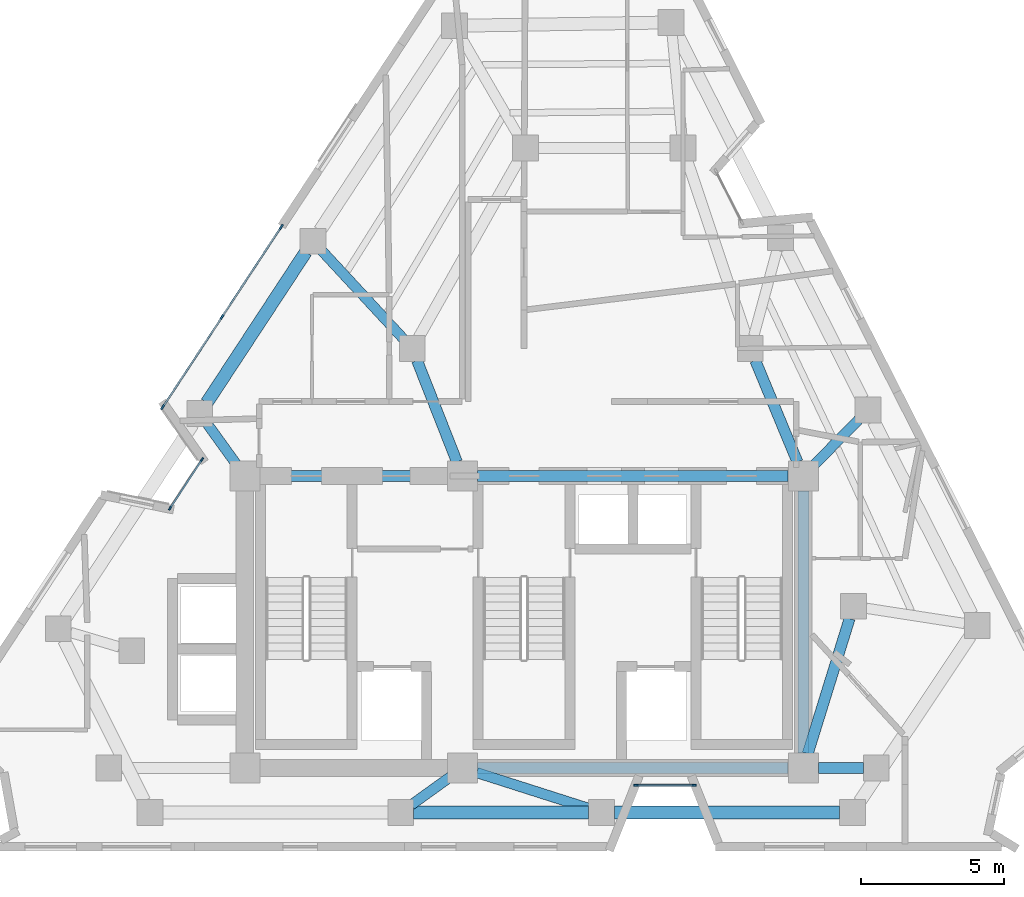
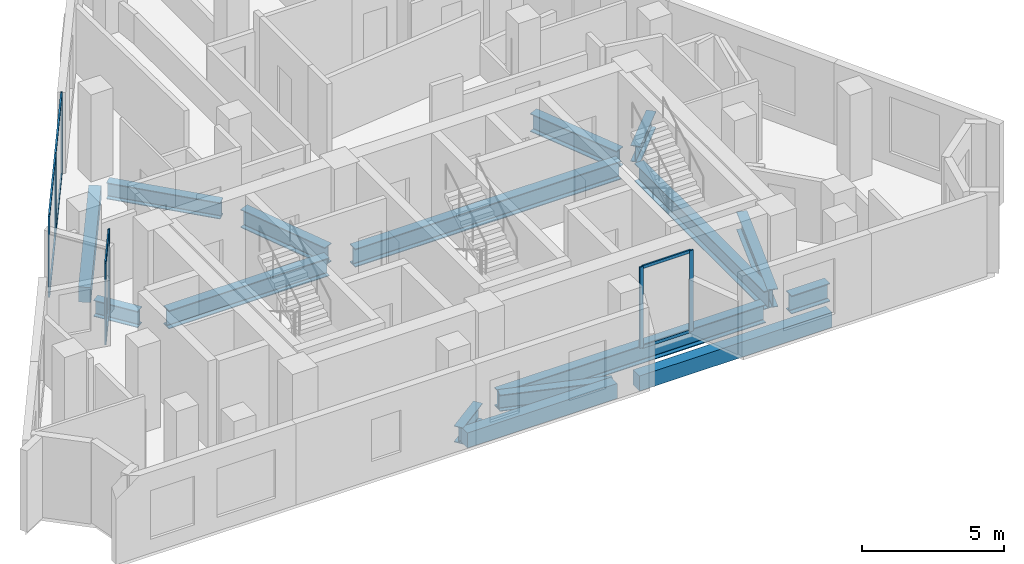
# One storey, part 2 of 9: 16 beams, 15 members, 3 elements without a shape of their own.
"""IFC4 building model written with IfcOpenShell, lengths in metres."""

from ifc_helpers import new_model, si_unit, direction, frame, origin, origin_2d, place, context, subcontext, project, spatial, rectangle, i_section, extrude, material, layer, layer_set, material_profile, profile_set, type_object, element, aggregate, save


model = new_model("IFC4")

# Units and contexts
model_context = context("Model", 3, precision=1e-05, world=origin(), true_north=direction((0.0, 1.0)))
body_context = subcontext(model_context, "Body", "Model", "MODEL_VIEW")
ifc_project = project(units=[si_unit("LENGTHUNIT", "METRE"), si_unit("AREAUNIT", "SQUARE_METRE"), si_unit("VOLUMEUNIT", "CUBIC_METRE"), si_unit("PLANEANGLEUNIT", "RADIAN"), si_unit("MASSUNIT", "GRAM", prefix="KILO")], contexts=[model_context])

# Site, building, storey
site_placement = place(None, origin())
site = spatial("IfcSite", under=ifc_project, at=site_placement, CompositionType="ELEMENT")
building_placement = place(site_placement, origin())
building = spatial("IfcBuilding", under=site, at=building_placement, Name="Almagre Mirador Tower", CompositionType="ELEMENT")
storey_placement = place(building_placement, frame((0.0, 0.0, 248.25)))
storey = spatial("IfcBuildingStorey", under=building, at=storey_placement, Name="L64", CompositionType="ELEMENT", Elevation=248.25)

# Beams
ifc_material_1 = material(Name="Precast concrete C50/60", Category="concrete")
ifc_material_profile_1 = material_profile(ifc_material_1, rectangle(XDim=0.449951171875, YDim=0.64990234375, at=origin_2d()), Name="RC450X650")
ifc_profile_set_1 = profile_set([ifc_material_profile_1], Name="Precast concrete C50/60")
beam_type_1 = type_object("IfcBeamType", Name="BM-SPN-RC450X650", PredefinedType="SPANDREL", material=ifc_profile_set_1)
beam_1_placement = place(storey_placement, frame((33.446044921875, 3.0, -0.574951171875), z_axis=(1.0, 0.0, 0.0), x_axis=(0.0, 1.0, 0.0)))
element("IfcBeam", 1, at=beam_1_placement, inside=storey, type_object=beam_type_1, Name="L64 perimeter spandrel beam PC02-PC03", PredefinedType="SPANDREL", context=body_context, shape_type="SweptSolid", body=[
    extrude(rectangle(XDim=0.449951171875, YDim=0.64990234375, at=origin_2d()), origin(), (0.0, 0.0, 1.0), 6.10791015625),
])
beam_2_placement = place(storey_placement, frame((40.4541015625, 3.0, -0.574951171875), z_axis=(1.0, 0.0, 0.0), x_axis=(0.0, 1.0, 0.0)))
element("IfcBeam", 2, at=beam_2_placement, inside=storey, type_object=beam_type_1, Name="L64 perimeter spandrel beam PC03-PC04", PredefinedType="SPANDREL", context=body_context, shape_type="SweptSolid", body=[
    extrude(rectangle(XDim=0.449951171875, YDim=0.64990234375, at=origin_2d()), origin(), (0.0, 0.0, 1.0), 7.85986328125),
])
beam_3_placement = place(storey_placement, frame((29.681884765625, 22.572998046875, -0.574951171875), z_axis=(-0.549024719226, -0.835806112492, 0.0), x_axis=(0.835806112492, -0.549024719226, 0.0)))
element("IfcBeam", 3, at=beam_3_placement, inside=storey, type_object=beam_type_1, Name="L64 perimeter spandrel beam PC10-PC11", PredefinedType="SPANDREL", context=body_context, shape_type="SweptSolid", body=[
    extrude(rectangle(XDim=0.449951171875, YDim=0.64990234375, at=origin_2d()), origin(), (0.0, 0.0, 1.0), 6.298095703125),
])
ifc_material_2 = material(Name="Steel ASTM A992 Grade 50", Category="steel")
ifc_material_profile_2 = material_profile(ifc_material_2, i_section(OverallWidth=0.35791015625, OverallDepth=0.7060546875, WebThickness=0.018310546875, FlangeThickness=0.0302734375, FilletRadius=0.02197265625, at=origin_2d()), Name="W27X178")
ifc_profile_set_2 = profile_set([ifc_material_profile_2], Name="Steel ASTM A992 Grade 50")
beam_type_2 = type_object("IfcBeamType", Name="BM-STL-W27X178", PredefinedType="BEAM", material=ifc_profile_set_2)
beam_4_placement = place(storey_placement, frame((33.361328125, 3.2626953125, -0.60302734375), z_axis=(0.81162535726, 0.584178294233, 0.0), x_axis=(-0.584178294233, 0.81162535726, 0.0)))
element("IfcBeam", 4, at=beam_4_placement, inside=storey, type_object=beam_type_2, Name="L64 radial floor girder PC02-CC2", PredefinedType="BEAM", context=body_context, shape_type="SweptSolid", body=[
    extrude(i_section(OverallWidth=0.35791015625, OverallDepth=0.7060546875, WebThickness=0.018310546875, FlangeThickness=0.0302734375, FilletRadius=0.02197265625, at=origin_2d()), origin(), (0.0, 0.0, 1.0), 1.6787109375),
])
beam_5_placement = place(storey_placement, frame((39.5751953125, 3.136962890625, -0.60302734375), z_axis=(-0.952606979741, 0.304203783914, 0.0), x_axis=(-0.304203783914, -0.952606979741, 0.0)))
element("IfcBeam", 5, at=beam_5_placement, inside=storey, type_object=beam_type_2, Name="L64 radial floor girder PC03-CC2", PredefinedType="BEAM", context=body_context, shape_type="SweptSolid", body=[
    extrude(i_section(OverallWidth=0.35791015625, OverallDepth=0.7060546875, WebThickness=0.018310546875, FlangeThickness=0.0302734375, FilletRadius=0.02197265625, at=origin_2d()), origin(), (0.0, 0.0, 1.0), 4.120361328125),
])
beam_6_placement = place(storey_placement, frame((48.99267578125, 16.72802734375, -0.60302734375), z_axis=(-0.700668518121, -0.713486949925, 0.0), x_axis=(0.713486949925, -0.700668518121, 0.0)))
element("IfcBeam", 6, at=beam_6_placement, inside=storey, type_object=beam_type_2, Name="L64 radial floor girder PC06-CC6", PredefinedType="BEAM", context=body_context, shape_type="SweptSolid", body=[
    extrude(i_section(OverallWidth=0.35791015625, OverallDepth=0.7060546875, WebThickness=0.018310546875, FlangeThickness=0.0302734375, FilletRadius=0.02197265625, at=origin_2d()), origin(), (0.0, 0.0, 1.0), 2.247314453125),
])
beam_7_placement = place(storey_placement, frame((30.234619140625, 22.618896484375, -0.60302734375), z_axis=(0.679380272184, -0.733786376112, 0.0), x_axis=(0.733786376112, 0.679380272184, 0.0)))
element("IfcBeam", 7, at=beam_7_placement, inside=storey, type_object=beam_type_2, Name="L64 radial floor girder PC10-MC8", PredefinedType="BEAM", context=body_context, shape_type="SweptSolid", body=[
    extrude(i_section(OverallWidth=0.35791015625, OverallDepth=0.7060546875, WebThickness=0.018310546875, FlangeThickness=0.0302734375, FilletRadius=0.02197265625, at=origin_2d()), origin(), (0.0, 0.0, 1.0), 4.209228515625),
])
beam_8_placement = place(storey_placement, frame((26.239990234375, 16.56787109375, -0.60302734375), z_axis=(0.584638267921, -0.81129408705, 0.0), x_axis=(0.81129408705, 0.584638267921, 0.0)))
element("IfcBeam", 8, at=beam_8_placement, inside=storey, type_object=beam_type_2, Name="L64 radial floor girder PC11-CC4", PredefinedType="BEAM", context=body_context, shape_type="SweptSolid", body=[
    extrude(i_section(OverallWidth=0.35791015625, OverallDepth=0.7060546875, WebThickness=0.018310546875, FlangeThickness=0.0302734375, FilletRadius=0.02197265625, at=origin_2d()), origin(), (0.0, 0.0, 1.0), 1.7158203125),
])
ifc_material_3 = material(Name="Steel ASTM A992 Grade 50", Category="steel")
ifc_material_profile_3 = material_profile(ifc_material_3, i_section(OverallWidth=0.384033203125, OverallDepth=0.784912109375, WebThickness=0.019775390625, FlangeThickness=0.033447265625, FilletRadius=0.02392578125, at=origin_2d()), Name="W30X211")
ifc_profile_set_3 = profile_set([ifc_material_profile_3], Name="Steel ASTM A992 Grade 50")
beam_type_3 = type_object("IfcBeamType", Name="BM-STL-W30X211", PredefinedType="BEAM", material=ifc_profile_set_3)
beam_9_placement = place(storey_placement, frame((35.675048828125, 4.550048828125, -0.642578125), z_axis=(1.0, 0.0, 0.0), x_axis=(0.0, 1.0, 0.0)))
element("IfcBeam", 9, at=beam_9_placement, inside=storey, type_object=beam_type_3, Name="L64 core tie girder CC2-CC3", PredefinedType="BEAM", context=body_context, shape_type="SweptSolid", body=[
    extrude(i_section(OverallWidth=0.384033203125, OverallDepth=0.784912109375, WebThickness=0.019775390625, FlangeThickness=0.033447265625, FilletRadius=0.02392578125, at=origin_2d()), origin(), (0.0, 0.0, 1.0), 10.849853515625),
])
beam_10_placement = place(storey_placement, frame((28.074951171875, 14.75, -0.642578125), z_axis=(1.0, 0.0, 0.0), x_axis=(0.0, 1.0, 0.0)))
element("IfcBeam", 10, at=beam_10_placement, inside=storey, type_object=beam_type_3, Name="L64 core tie girder CC4-CC5", PredefinedType="BEAM", context=body_context, shape_type="SweptSolid", body=[
    extrude(i_section(OverallWidth=0.384033203125, OverallDepth=0.784912109375, WebThickness=0.019775390625, FlangeThickness=0.033447265625, FilletRadius=0.02392578125, at=origin_2d()), origin(), (0.0, 0.0, 1.0), 6.550048828125),
])
beam_11_placement = place(storey_placement, frame((35.675048828125, 14.75, -0.642578125), z_axis=(1.0, 0.0, 0.0), x_axis=(0.0, 1.0, 0.0)))
element("IfcBeam", 11, at=beam_11_placement, inside=storey, type_object=beam_type_3, Name="L64 core tie girder CC5-CC6", PredefinedType="BEAM", context=body_context, shape_type="SweptSolid", body=[
    extrude(i_section(OverallWidth=0.384033203125, OverallDepth=0.784912109375, WebThickness=0.019775390625, FlangeThickness=0.033447265625, FilletRadius=0.02392578125, at=origin_2d()), origin(), (0.0, 0.0, 1.0), 10.849853515625),
])
beam_12_placement = place(storey_placement, frame((47.050048828125, 5.074951171875, -0.642578125), z_axis=(0.0, 1.0, 0.0), x_axis=(-1.0, 0.0, 0.0)))
element("IfcBeam", 12, at=beam_12_placement, inside=storey, type_object=beam_type_3, Name="L64 core tie girder CC3-CC6", PredefinedType="BEAM", context=body_context, shape_type="SweptSolid", body=[
    extrude(i_section(OverallWidth=0.384033203125, OverallDepth=0.784912109375, WebThickness=0.019775390625, FlangeThickness=0.033447265625, FilletRadius=0.02392578125, at=origin_2d()), origin(), (0.0, 0.0, 1.0), 9.150146484375),
])
beam_13_placement = place(storey_placement, frame((49.14990234375, 4.550048828125, -0.642578125), z_axis=(-1.0, 0.0, 0.0), x_axis=(0.0, -1.0, 0.0)))
element("IfcBeam", 13, at=beam_13_placement, inside=storey, type_object=beam_type_3, Name="L64 core tie girder MC2-CC3", PredefinedType="BEAM", context=body_context, shape_type="SweptSolid", body=[
    extrude(i_section(OverallWidth=0.384033203125, OverallDepth=0.784912109375, WebThickness=0.019775390625, FlangeThickness=0.033447265625, FilletRadius=0.02392578125, at=origin_2d()), origin(), (0.0, 0.0, 1.0), 1.574951171875),
])
beam_14_placement = place(storey_placement, frame((48.6669921875, 9.77001953125, -0.642578125), z_axis=(-0.295901717967, -0.955218390372, 0.0), x_axis=(0.955218390372, -0.295901717967, 0.0)))
element("IfcBeam", 14, at=beam_14_placement, inside=storey, type_object=beam_type_3, Name="L64 core tie girder MC3-CC3", PredefinedType="BEAM", context=body_context, shape_type="SweptSolid", body=[
    extrude(i_section(OverallWidth=0.384033203125, OverallDepth=0.784912109375, WebThickness=0.019775390625, FlangeThickness=0.033447265625, FilletRadius=0.02392578125, at=origin_2d()), origin(), (0.0, 0.0, 1.0), 4.939697265625),
])
beam_15_placement = place(storey_placement, frame((45.372802734375, 18.784423828125, -0.642578125), z_axis=(0.383862140668, -0.923390414159, 0.0), x_axis=(0.923390414159, 0.383862140668, 0.0)))
element("IfcBeam", 15, at=beam_15_placement, inside=storey, type_object=beam_type_3, Name="L64 core tie girder MC5-CC6", PredefinedType="BEAM", context=body_context, shape_type="SweptSolid", body=[
    extrude(i_section(OverallWidth=0.384033203125, OverallDepth=0.784912109375, WebThickness=0.019775390625, FlangeThickness=0.033447265625, FilletRadius=0.02392578125, at=origin_2d()), origin(), (0.0, 0.0, 1.0), 3.843994140625),
])
beam_16_placement = place(storey_placement, frame((33.564697265625, 18.78125, -0.642578125), z_axis=(0.365999579355, -0.93061501595, 0.0), x_axis=(0.93061501595, 0.365999579355, 0.0)))
element("IfcBeam", 16, at=beam_16_placement, inside=storey, type_object=beam_type_3, Name="L64 core tie girder MC8-CC5", PredefinedType="BEAM", context=body_context, shape_type="SweptSolid", body=[
    extrude(i_section(OverallWidth=0.384033203125, OverallDepth=0.784912109375, WebThickness=0.019775390625, FlangeThickness=0.033447265625, FilletRadius=0.02392578125, at=origin_2d()), origin(), (0.0, 0.0, 1.0), 3.806884765625),
])

# Curtain wall, members
ifc_material_4 = material(Name="Black anodized aluminium", Category="aluminium")
ifc_layer_1 = layer(ifc_material_4, 0.169921875)
ifc_layer_set_1 = layer_set([ifc_layer_1], Name="Black anodized aluminium")
curtain_wall_type_1 = type_object("IfcCurtainWallType", Name="CW-CRS-SYS", PredefinedType="NOTDEFINED", material=ifc_layer_set_1)
curtain_wall_1_placement = place(storey_placement, origin())
curtain_wall_1 = element("IfcCurtainWall", 17, at=curtain_wall_1_placement, inside=storey, type_object=curtain_wall_type_1, Name="L64 vertical crease curtain wall 01", PredefinedType="NOTDEFINED")
ifc_material_5 = material(Name="Black anodized aluminium", Category="aluminium")
ifc_material_profile_4 = material_profile(ifc_material_5, rectangle(XDim=0.06005859375, YDim=0.14990234375, at=origin_2d()), Name="CWM60X150")
ifc_profile_set_4 = profile_set([ifc_material_profile_4], Name="Black anodized aluminium")
member_type_1 = type_object("IfcMemberType", Name="MBR-CWM60X150", PredefinedType="MULLION", material=ifc_profile_set_4)
member_1_placement = place(storey_placement, frame((24.9404296875, 13.625, 0.0), z_axis=(0.0, 0.0, 1.0), x_axis=(-0.835931289344, 0.548834109267, 0.0)))
member_1 = element("IfcMember", 18, at=member_1_placement, type_object=member_type_1, Name="CW-4 mullion 1", PredefinedType="MULLION", context=body_context, shape_type="SweptSolid", body=[
    extrude(rectangle(XDim=0.06005859375, YDim=0.14990234375, at=origin_2d()), origin(), (0.0, 0.0, 1.0), 3.5),
])
member_2_placement = place(storey_placement, frame((26.054443359375, 15.322021484375, 0.0), z_axis=(0.0, 0.0, 1.0), x_axis=(-0.835931289344, 0.548834109267, 0.0)))
member_2 = element("IfcMember", 19, at=member_2_placement, type_object=member_type_1, Name="CW-4 mullion 2", PredefinedType="MULLION", context=body_context, shape_type="SweptSolid", body=[
    extrude(rectangle(XDim=0.06005859375, YDim=0.14990234375, at=origin_2d()), origin(), (0.0, 0.0, 1.0), 3.5),
])

curtain_wall_2_placement = place(storey_placement, origin())
curtain_wall_2 = element("IfcCurtainWall", 20, at=curtain_wall_2_placement, inside=storey, type_object=curtain_wall_type_1, Name="L64 vertical crease curtain wall 04", PredefinedType="NOTDEFINED")
member_3_placement = place(storey_placement, frame((43.242919921875, 3.949951171875, 0.0), z_axis=(0.0, 0.0, 1.0), x_axis=(0.0, -1.0, 0.0)))
member_3 = element("IfcMember", 21, at=member_3_placement, type_object=member_type_1, Name="CW-4 mullion 1", PredefinedType="MULLION", context=body_context, shape_type="SweptSolid", body=[
    extrude(rectangle(XDim=0.06005859375, YDim=0.14990234375, at=origin_2d()), origin(), (0.0, 0.0, 1.0), 3.5),
])
member_4_placement = place(storey_placement, frame((41.212890625, 3.949951171875, 0.0), z_axis=(0.0, 0.0, 1.0), x_axis=(0.0, -1.0, 0.0)))
member_4 = element("IfcMember", 22, at=member_4_placement, type_object=member_type_1, Name="CW-4 mullion 2", PredefinedType="MULLION", context=body_context, shape_type="SweptSolid", body=[
    extrude(rectangle(XDim=0.06005859375, YDim=0.14990234375, at=origin_2d()), origin(), (0.0, 0.0, 1.0), 3.5),
])

ifc_material_6 = material(Name="Black anodized aluminium", Category="aluminium")
ifc_layer_2 = layer(ifc_material_6, 0.199951171875)
ifc_layer_set_2 = layer_set([ifc_layer_2], Name="Black anodized aluminium")
curtain_wall_type_2 = type_object("IfcCurtainWallType", Name="CW-RES-H-SYS", PredefinedType="NOTDEFINED", material=ifc_layer_set_2)
curtain_wall_3_placement = place(storey_placement, origin())
curtain_wall_3 = element("IfcCurtainWall", 23, at=curtain_wall_3_placement, inside=storey, type_object=curtain_wall_type_2, Name="L64 curtain wall run 02", PredefinedType="NOTDEFINED")
ifc_material_7 = material(Name="Black anodized aluminium", Category="aluminium")
ifc_material_profile_5 = material_profile(ifc_material_7, rectangle(XDim=0.06494140625, YDim=0.179931640625, at=origin_2d()), Name="CWM65X180")
ifc_profile_set_5 = profile_set([ifc_material_profile_5], Name="Black anodized aluminium")
member_type_2 = type_object("IfcMemberType", Name="MBR-CWM65X180", PredefinedType="MULLION", material=ifc_profile_set_5)
member_5_placement = place(storey_placement, frame((24.68505859375, 17.152099609375, 0.0), z_axis=(0.0, 0.0, 1.0), x_axis=(-0.835787627984, 0.549052858029, 0.0)))
member_5 = element("IfcMember", 24, at=member_5_placement, type_object=member_type_2, Name="CW-3 mullion 1", PredefinedType="MULLION", context=body_context, shape_type="SweptSolid", body=[
    extrude(rectangle(XDim=0.06494140625, YDim=0.179931640625, at=origin_2d()), origin(), (0.0, 0.0, 1.0), 3.5),
])
member_6_placement = place(storey_placement, frame((26.752685546875, 20.2998046875, 0.0), z_axis=(0.0, 0.0, 1.0), x_axis=(-0.835787627984, 0.549052858029, 0.0)))
member_6 = element("IfcMember", 25, at=member_6_placement, type_object=member_type_2, Name="CW-3 mullion 2", PredefinedType="MULLION", context=body_context, shape_type="SweptSolid", body=[
    extrude(rectangle(XDim=0.06494140625, YDim=0.179931640625, at=origin_2d()), origin(), (0.0, 0.0, 1.0), 3.5),
])
member_7_placement = place(storey_placement, frame((28.820556640625, 23.447509765625, 0.0), z_axis=(0.0, 0.0, 1.0), x_axis=(-0.835787627984, 0.549052858029, 0.0)))
member_7 = element("IfcMember", 26, at=member_7_placement, type_object=member_type_2, Name="CW-3 mullion 3", PredefinedType="MULLION", context=body_context, shape_type="SweptSolid", body=[
    extrude(rectangle(XDim=0.06494140625, YDim=0.179931640625, at=origin_2d()), origin(), (0.0, 0.0, 1.0), 3.5),
])

# Member
ifc_material_8 = material(Name="Black anodized aluminium", Category="aluminium")
ifc_material_profile_6 = material_profile(ifc_material_8, rectangle(XDim=0.06005859375, YDim=0.1298828125, at=origin_2d()), Name="CWT60X130")
ifc_profile_set_6 = profile_set([ifc_material_profile_6], Name="Black anodized aluminium")
member_type_3 = type_object("IfcMemberType", Name="MBR-CWT60X130", PredefinedType="USERDEFINED", material=ifc_profile_set_6)
member_8_placement = place(storey_placement, frame((24.95703125, 13.650146484375, 0.030029296875), z_axis=(0.548794499346, 0.835957294057, 0.0), x_axis=(-0.835957294057, 0.548794499346, 0.0)))
member_8 = element("IfcMember", 27, at=member_8_placement, type_object=member_type_3, Name="CW-4 transom 1.1", ObjectType="TRANSOM", PredefinedType="USERDEFINED", context=body_context, shape_type="SweptSolid", body=[
    extrude(rectangle(XDim=0.06005859375, YDim=0.1298828125, at=origin_2d()), origin(), (0.0, 0.0, 1.0), 1.969970703125),
])

member_9_placement = place(storey_placement, frame((24.95703125, 13.650146484375, 3.469970703125), z_axis=(0.548794499346, 0.835957294057, 0.0), x_axis=(-0.835957294057, 0.548794499346, 0.0)))
member_9 = element("IfcMember", 28, at=member_9_placement, type_object=member_type_3, Name="CW-4 transom 1.2", ObjectType="TRANSOM", PredefinedType="USERDEFINED", context=body_context, shape_type="SweptSolid", body=[
    extrude(rectangle(XDim=0.06005859375, YDim=0.1298828125, at=origin_2d()), origin(), (0.0, 0.0, 1.0), 1.969970703125),
])

aggregate(curtain_wall_1, [member_1, member_2, member_8, member_9])

member_10_placement = place(storey_placement, frame((43.212890625, 3.949951171875, 0.030029296875), z_axis=(-1.0, 0.0, 0.0), x_axis=(0.0, -1.0, 0.0)))
member_10 = element("IfcMember", 29, at=member_10_placement, type_object=member_type_3, Name="CW-4 transom 1.1", ObjectType="TRANSOM", PredefinedType="USERDEFINED", context=body_context, shape_type="SweptSolid", body=[
    extrude(rectangle(XDim=0.06005859375, YDim=0.1298828125, at=origin_2d()), origin(), (0.0, 0.0, 1.0), 1.969970703125),
])

member_11_placement = place(storey_placement, frame((43.212890625, 3.949951171875, 3.469970703125), z_axis=(-1.0, 0.0, 0.0), x_axis=(0.0, -1.0, 0.0)))
member_11 = element("IfcMember", 30, at=member_11_placement, type_object=member_type_3, Name="CW-4 transom 1.2", ObjectType="TRANSOM", PredefinedType="USERDEFINED", context=body_context, shape_type="SweptSolid", body=[
    extrude(rectangle(XDim=0.06005859375, YDim=0.1298828125, at=origin_2d()), origin(), (0.0, 0.0, 1.0), 1.969970703125),
])

aggregate(curtain_wall_2, [member_3, member_4, member_10, member_11])

ifc_material_9 = material(Name="Black anodized aluminium", Category="aluminium")
ifc_material_profile_7 = material_profile(ifc_material_9, rectangle(XDim=0.06494140625, YDim=0.14990234375, at=origin_2d()), Name="CWT65X150")
ifc_profile_set_7 = profile_set([ifc_material_profile_7], Name="Black anodized aluminium")
member_type_4 = type_object("IfcMemberType", Name="MBR-CWT65X150", PredefinedType="USERDEFINED", material=ifc_profile_set_7)
member_12_placement = place(storey_placement, frame((24.702880859375, 17.179443359375, 0.032470703125), z_axis=(0.549039665295, 0.83579629452, 0.0), x_axis=(-0.83579629452, 0.549039665295, 0.0)))
member_12 = element("IfcMember", 31, at=member_12_placement, type_object=member_type_4, Name="CW-3 transom 1.1", ObjectType="TRANSOM", PredefinedType="USERDEFINED", context=body_context, shape_type="SweptSolid", body=[
    extrude(rectangle(XDim=0.06494140625, YDim=0.14990234375, at=origin_2d()), origin(), (0.0, 0.0, 1.0), 3.700927734375),
])

member_13_placement = place(storey_placement, frame((24.702880859375, 17.179443359375, 3.467529296875), z_axis=(0.549039665295, 0.83579629452, 0.0), x_axis=(-0.83579629452, 0.549039665295, 0.0)))
member_13 = element("IfcMember", 32, at=member_13_placement, type_object=member_type_4, Name="CW-3 transom 1.2", ObjectType="TRANSOM", PredefinedType="USERDEFINED", context=body_context, shape_type="SweptSolid", body=[
    extrude(rectangle(XDim=0.06494140625, YDim=0.14990234375, at=origin_2d()), origin(), (0.0, 0.0, 1.0), 3.700927734375),
])

member_14_placement = place(storey_placement, frame((26.7705078125, 20.326904296875, 0.032470703125), z_axis=(0.549055473966, 0.835785909494, 0.0), x_axis=(-0.835785909494, 0.549055473966, 0.0)))
member_14 = element("IfcMember", 33, at=member_14_placement, type_object=member_type_4, Name="CW-3 transom 2.1", ObjectType="TRANSOM", PredefinedType="USERDEFINED", context=body_context, shape_type="SweptSolid", body=[
    extrude(rectangle(XDim=0.06494140625, YDim=0.14990234375, at=origin_2d()), origin(), (0.0, 0.0, 1.0), 3.701416015625),
])

member_15_placement = place(storey_placement, frame((26.7705078125, 20.326904296875, 3.467529296875), z_axis=(0.549055473966, 0.835785909494, 0.0), x_axis=(-0.835785909494, 0.549055473966, 0.0)))
member_15 = element("IfcMember", 34, at=member_15_placement, type_object=member_type_4, Name="CW-3 transom 2.2", ObjectType="TRANSOM", PredefinedType="USERDEFINED", context=body_context, shape_type="SweptSolid", body=[
    extrude(rectangle(XDim=0.06494140625, YDim=0.14990234375, at=origin_2d()), origin(), (0.0, 0.0, 1.0), 3.701416015625),
])

aggregate(curtain_wall_3, [member_5, member_6, member_7, member_12, member_13, member_14, member_15])

save(model, "model.ifc")
